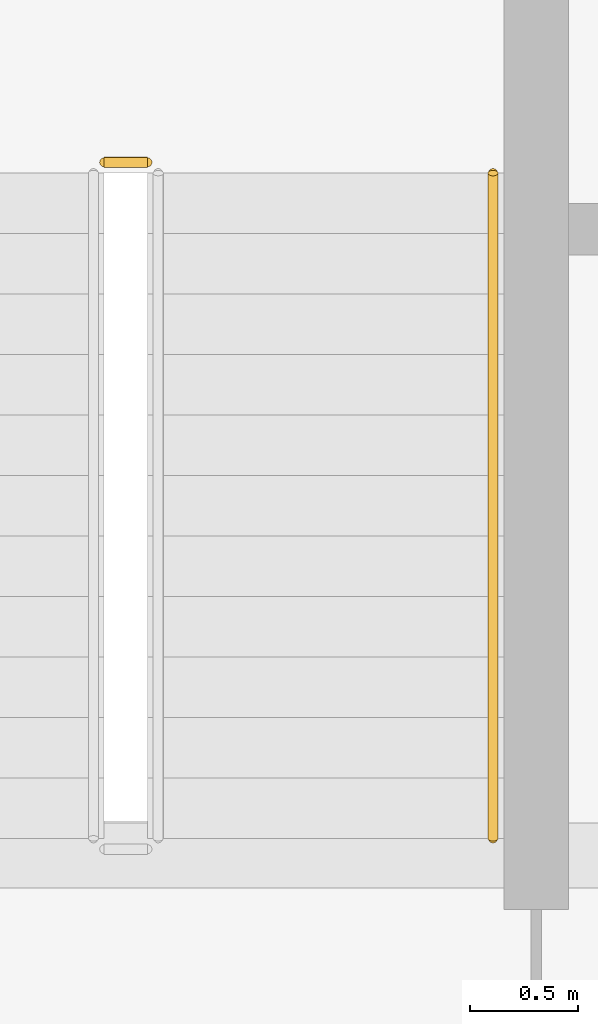
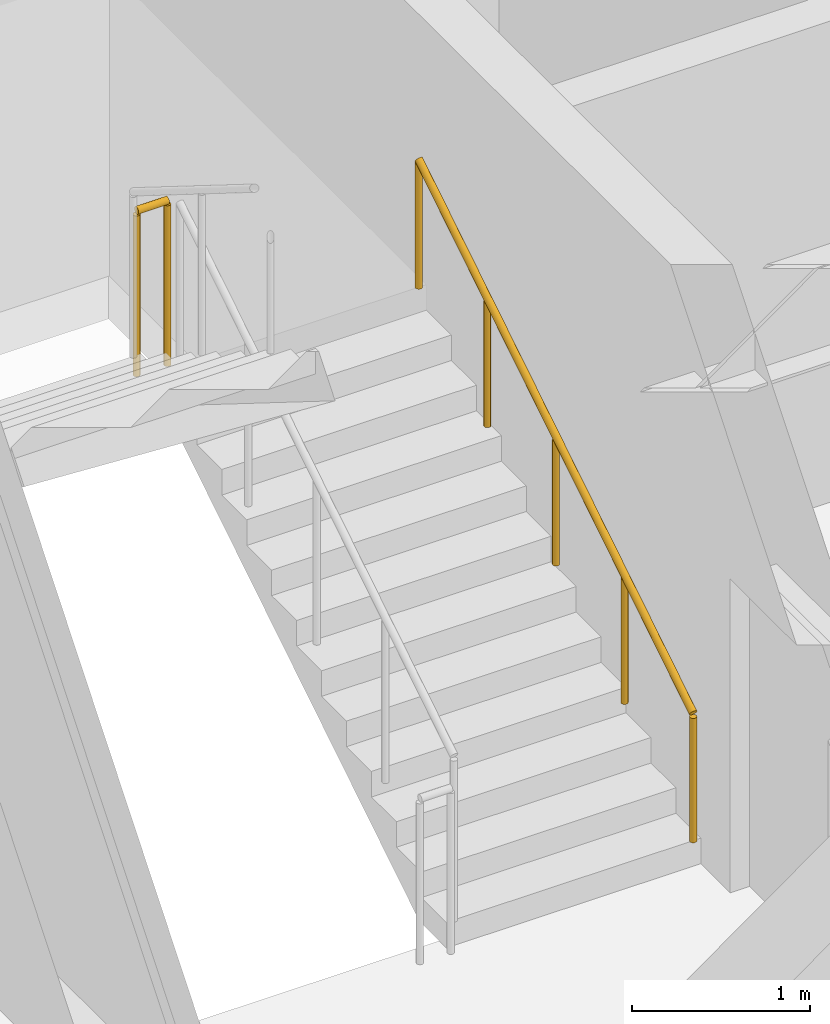
# One storey, part 32 of 34: 2 railings.
"""IFC4 building model written with IfcOpenShell, lengths in metres."""

import ifcopenshell
import ifcopenshell.guid

model = None  # the IFC model being written
_history = None  # IfcOwnerHistory: only IFC2X3 demands one
_inside = {}  # id of a spatial element -> (the spatial element, [elements in it])
_under = {}  # id of a project, library or spatial element -> (it, [spatial elements below it])
_declared = {}  # id of a project -> (the project, [libraries it declares])
_typed = {}  # id of a type object -> (the type object, [elements of that type])
_made_of = {}  # id of a material, layer set ... -> (it, [elements and type objects made of it])


def new_model(schema):
    """Start an empty IFC model of exactly this schema.

    Asked for "IFC4X3", IfcOpenShell would pick the latest addendum, in which some entities
    have other attributes; the version numbers below select the first issue.
    IFC2X3 requires an IfcOwnerHistory on every rooted entity: one is made here for all.
    """
    global model, _history
    if schema == "IFC4X3":
        model = ifcopenshell.file(schema_version=(4, 3, 0, 0))
    else:
        model = ifcopenshell.file(schema=schema)
    _inside.clear()
    _under.clear()
    _declared.clear()
    _typed.clear()
    _made_of.clear()
    _history = None
    if model.schema == "IFC2X3":
        org = make("IfcOrganization", Name="unknown")
        user = make(
            "IfcPersonAndOrganization",
            ThePerson=make("IfcPerson", FamilyName="unknown"),
            TheOrganization=org,
        )
        app = make(
            "IfcApplication",
            ApplicationDeveloper=org,
            Version="unknown",
            ApplicationFullName="unknown",
            ApplicationIdentifier="unknown",
        )
        _history = make(
            "IfcOwnerHistory",
            OwningUser=user,
            OwningApplication=app,
            ChangeAction="ADDED",
            CreationDate=0,
        )
    return model


def make(cls, **values):
    """One entity of the class cls with the attributes given. An attribute that is None is left unset."""
    return model.create_entity(
        cls, **{name: value for name, value in values.items() if value is not None}
    )


def rooted(cls, **values):
    """An entity with a GlobalId (a new one), such as an element, a storey or a relation."""
    return make(cls, GlobalId=ifcopenshell.guid.new(), OwnerHistory=_history, **values)


def si_unit(unit_type, name, prefix=None):
    """IfcSIUnit, for example si_unit("LENGTHUNIT", "METRE", prefix="MILLI")."""
    return make("IfcSIUnit", UnitType=unit_type, Prefix=prefix, Name=name)


def assignment(units):
    """IfcUnitAssignment: the units of a project."""
    return None if units is None else make("IfcUnitAssignment", Units=units)


def point(xyz):
    """IfcCartesianPoint."""
    return None if xyz is None else make("IfcCartesianPoint", Coordinates=xyz)


def direction(xyz):
    """IfcDirection."""
    return None if xyz is None else make("IfcDirection", DirectionRatios=xyz)


def frame(location, z_axis=None, x_axis=None):
    """IfcAxis2Placement3D, a coordinate frame: its origin and axes. An axis left out is left unset."""
    return make(
        "IfcAxis2Placement3D",
        Location=point(location),
        Axis=direction(z_axis),
        RefDirection=direction(x_axis),
    )


def frame_2d(location, x_axis=None):
    """IfcAxis2Placement2D, a coordinate frame in the plane: its origin and x axis."""
    return make(
        "IfcAxis2Placement2D", Location=point(location), RefDirection=direction(x_axis)
    )


def origin():
    """The frame at (0, 0, 0) with its axes left unset."""
    return frame((0.0, 0.0, 0.0))


def origin_2d():
    """The frame at (0, 0) in the plane with its x axis left unset."""
    return frame_2d((0.0, 0.0))


def place(relative_to, where):
    """IfcLocalPlacement: puts the frame where relative to a parent placement (None: the world)."""
    return make(
        "IfcLocalPlacement", PlacementRelTo=relative_to, RelativePlacement=where
    )


def context(
    kind, dimensions, precision=None, world=None, true_north=None, identifier=None
):
    """IfcGeometricRepresentationContext, for example the 3D "Model" context."""
    return make(
        "IfcGeometricRepresentationContext",
        ContextIdentifier=identifier,
        ContextType=kind,
        CoordinateSpaceDimension=dimensions,
        Precision=precision,
        WorldCoordinateSystem=world,
        TrueNorth=true_north,
    )


def subcontext(parent, identifier, kind, view, scale=None):
    """IfcGeometricRepresentationSubContext, for example "Body" below "Model"."""
    return make(
        "IfcGeometricRepresentationSubContext",
        ContextIdentifier=identifier,
        ContextType=kind,
        ParentContext=parent,
        TargetScale=scale,
        TargetView=view,
    )


def project(units=None, contexts=None):
    """IfcProject with its units and contexts."""
    return rooted(
        "IfcProject",
        Name="project",
        RepresentationContexts=contexts,
        UnitsInContext=assignment(units),
    )


def spatial(cls, under=None, at=None, **own):
    """A site, building, storey or space (cls), placed at a placement, below another one or the project."""
    s = rooted(cls, ObjectPlacement=at, **own)
    if under is not None:
        _under.setdefault(under.id(), (under, []))[1].append(s)
    return s


def profile(cls, at=None, kind="AREA", **sizes):
    """A parametric profile (cls). Its sizes go by their IFC names, for example OverallWidth=200.0."""
    return make(cls, ProfileType=kind, Position=at, **sizes)


def circle(**sizes):
    """IfcCircleProfileDef."""
    return profile("IfcCircleProfileDef", **sizes)


def extrude(swept, where, along, depth):
    """IfcExtrudedAreaSolid: the profile swept, set in the frame where, extruded along a direction by depth."""
    return make(
        "IfcExtrudedAreaSolid",
        SweptArea=swept,
        Position=where,
        ExtrudedDirection=direction(along),
        Depth=depth,
    )


def shape(context_of_items, identifier, shape_type, items):
    """IfcShapeRepresentation: the items that make up one representation, for example the "Body"."""
    return make(
        "IfcShapeRepresentation",
        ContextOfItems=context_of_items,
        RepresentationIdentifier=identifier,
        RepresentationType=shape_type,
        Items=items,
    )


def source(mapping_origin, context_of_items, identifier, shape_type, items):
    """IfcRepresentationMap: a shape defined once, which mapped items show again and again."""
    return make(
        "IfcRepresentationMap",
        MappingOrigin=mapping_origin,
        MappedRepresentation=shape(context_of_items, identifier, shape_type, items),
    )


def transform(
    local_origin,
    x_axis=None,
    y_axis=None,
    z_axis=None,
    scale=None,
    scale2=None,
    scale3=None,
    uniform=True,
):
    """IfcCartesianTransformationOperator3D, or its non-uniform kind. x_axis, y_axis, z_axis: its Axis1, 2, 3."""
    if uniform:
        return make(
            "IfcCartesianTransformationOperator3D",
            Axis1=direction(x_axis),
            Axis2=direction(y_axis),
            LocalOrigin=point(local_origin),
            Scale=scale,
            Axis3=direction(z_axis),
        )
    return make(
        "IfcCartesianTransformationOperator3DnonUniform",
        Axis1=direction(x_axis),
        Axis2=direction(y_axis),
        LocalOrigin=point(local_origin),
        Scale=scale,
        Axis3=direction(z_axis),
        Scale2=scale2,
        Scale3=scale3,
    )


def mapped(mapping_source, mapping_target):
    """IfcMappedItem: shows the shape of a source again, moved by a transform."""
    return make(
        "IfcMappedItem", MappingSource=mapping_source, MappingTarget=mapping_target
    )


def material(Name=None, Category=None):
    """IfcMaterial."""
    return make("IfcMaterial", Name=Name, Category=Category)


def made_of(thing, what):
    """Note that an element or type object is made of a material, layer set ...; save() writes the relation."""
    if what is not None:
        _made_of.setdefault(what.id(), (what, []))[1].append(thing)
    return thing


def type_object(cls, material=None, **own):
    """A type object (cls), such as IfcWallType, which elements share."""
    return made_of(rooted(cls, **own), material)


def type_shapes(of_type, sources):
    """Give a type object the sources (RepresentationMaps) that its elements show as mapped items."""
    of_type.RepresentationMaps = sources


def element(
    cls,
    number,
    at=None,
    inside=None,
    cuts=None,
    type_object=None,
    material=None,
    context=None,
    identifier="Body",
    shape_type=None,
    held_by="IfcProductDefinitionShape",
    body=None,
    shapes=None,
    **own,
):
    """One element of the class cls, such as IfcWall. Its Tag is "e" and its number.

    at: its placement. inside: the storey or other place that contains it. cuts: it is an
    opening in that element (IfcRelVoidsElement). A single representation is given by context,
    identifier, shape_type and body (its items); several are given by shapes. held_by: the class
    of the entity that holds the representations. save() writes the other relations.
    """
    e = rooted(cls, Tag="e%d" % number, ObjectPlacement=at, **own)
    if body is not None:
        shapes = [shape(context, identifier, shape_type, body)]
    if shapes is not None:
        e.Representation = make(held_by, Representations=shapes)
    if inside is not None:
        _inside.setdefault(inside.id(), (inside, []))[1].append(e)
    if cuts is not None:
        rooted(
            "IfcRelVoidsElement", RelatingBuildingElement=cuts, RelatedOpeningElement=e
        )
    if type_object is not None:
        _typed.setdefault(type_object.id(), (type_object, []))[1].append(e)
    return made_of(e, material)


def aggregate(whole, parts):
    """IfcRelAggregates: a whole, such as a stair, and the parts it consists of."""
    return rooted("IfcRelAggregates", RelatingObject=whole, RelatedObjects=parts)


def save(model, path):
    """Write the relations noted so far, then the file.

    IfcRelAggregates (storeys below a building ...), IfcRelContainedInSpatialStructure (elements
    in a storey), IfcRelDefinesByType, IfcRelAssociatesMaterial and IfcRelDeclares: one each for
    every whole, place, type object, material and project.
    """
    for whole, parts in _under.values():
        aggregate(whole, parts)
    for where, things in _inside.values():
        rooted(
            "IfcRelContainedInSpatialStructure",
            RelatedElements=things,
            RelatingStructure=where,
        )
    for kind, things in _typed.values():
        rooted("IfcRelDefinesByType", RelatedObjects=things, RelatingType=kind)
    for what, things in _made_of.values():
        rooted("IfcRelAssociatesMaterial", RelatedObjects=things, RelatingMaterial=what)
    for by, libraries in _declared.values():
        rooted("IfcRelDeclares", RelatingContext=by, RelatedDefinitions=libraries)
    model.write(path)


model = new_model("IFC4")

# Units and contexts
model_context = context("Model", 3, precision=1e-05, world=origin(), true_north=direction((0.0, 1.0)))
body_context = subcontext(model_context, "Body", "Model", "MODEL_VIEW")
ifc_project = project(units=[si_unit("LENGTHUNIT", "METRE"), si_unit("AREAUNIT", "SQUARE_METRE"), si_unit("VOLUMEUNIT", "CUBIC_METRE"), si_unit("PLANEANGLEUNIT", "RADIAN"), si_unit("MASSUNIT", "GRAM", prefix="KILO")], contexts=[model_context])

# Site, building, storey
site_placement = place(None, origin())
site = spatial("IfcSite", under=ifc_project, at=site_placement, CompositionType="ELEMENT")
building_placement = place(site_placement, origin())
building = spatial("IfcBuilding", under=site, at=building_placement, Name="Haelvirn Gate Laboratories", CompositionType="ELEMENT")
storey_placement = place(building_placement, frame((0.0, 0.0, 297.60009765625)))
storey = spatial("IfcBuildingStorey", under=building, at=storey_placement, Name="L71", CompositionType="ELEMENT", Elevation=297.60009765625)

# Railings
ifc_material_1 = material(Name="Galvanised steel SM355 & stainless top rail", Category="steel")
railing_type_1 = type_object("IfcRailingType", Name="RL-GUARD-1150", PredefinedType="GUARDRAIL", material=ifc_material_1)
shared_shape_1 = source(origin(), body_context, "Body", "SweptSolid", [
    extrude(circle(Radius=0.02392578125, at=origin_2d()), frame((0.0, 0.0, 1.1259765625), z_axis=(-1.0, 0.0, 0.0), x_axis=(0.0, -1.0, 0.0)), (0.0, 0.0, 1.0), 0.199951171875),
    extrude(circle(Radius=0.02099609375, at=origin_2d()), origin(), (0.0, 0.0, 1.0), 1.101806640625),
    extrude(circle(Radius=0.02099609375, at=origin_2d()), frame((-0.199951171875, 0.0, 0.0)), (0.0, 0.0, 1.0), 1.101806640625),
])
type_shapes(railing_type_1, [shared_shape_1])
railing_1_placement = place(storey_placement, frame((9.64990234375, 29.830078125, 2.099853515625)))
element("IfcRailing", 1, at=railing_1_placement, inside=storey, type_object=railing_type_1, Name="L71 ST1 stair guard 2", PredefinedType="GUARDRAIL", context=body_context, shape_type="MappedRepresentation", body=[
    mapped(shared_shape_1, transform((0.0, 0.0, 0.0), scale=1.0)),
])
ifc_material_2 = material(Name="Brushed stainless steel 316L", Category="steel")
railing_type_2 = type_object("IfcRailingType", Name="RL-HAND-920", PredefinedType="HANDRAIL", material=ifc_material_2)
shared_shape_2 = source(origin(), body_context, "Body", "SweptSolid", [
    extrude(circle(Radius=0.02392578125, at=origin_2d()), frame((0.0, 0.0, 0.8759765625), z_axis=(0.0, 0.847998304005, 0.529998940003), x_axis=(-1.0, 0.0, 0.0)), (0.0, 0.0, 1.0), 3.632080078125),
    extrude(circle(Radius=0.02099609375, at=origin_2d()), origin(), (0.0, 0.0, 1.0), 0.851806640625),
    extrude(circle(Radius=0.02099609375, at=origin_2d()), frame((0.0, 0.77001953125, 0.481201171875)), (0.0, 0.0, 1.0), 0.851806640625),
    extrude(circle(Radius=0.02099609375, at=origin_2d()), frame((0.0, 1.5400390625, 0.96240234375)), (0.0, 0.0, 1.0), 0.851806640625),
    extrude(circle(Radius=0.02099609375, at=origin_2d()), frame((0.0, 2.31005859375, 1.44384765625)), (0.0, 0.0, 1.0), 0.851806640625),
    extrude(circle(Radius=0.02099609375, at=origin_2d()), frame((0.0, 3.080078125, 1.925048828125)), (0.0, 0.0, 1.0), 0.851806640625),
])
type_shapes(railing_type_2, [shared_shape_2])
railing_2_placement = place(storey_placement, frame((11.25, 26.699951171875, 0.1748046875)))
element("IfcRailing", 2, at=railing_2_placement, inside=storey, type_object=railing_type_2, Name="L71 ST1 stair handrail 1", PredefinedType="HANDRAIL", context=body_context, shape_type="MappedRepresentation", body=[
    mapped(shared_shape_2, transform((0.0, 0.0, 0.0), scale=1.0)),
])

save(model, "model.ifc")
